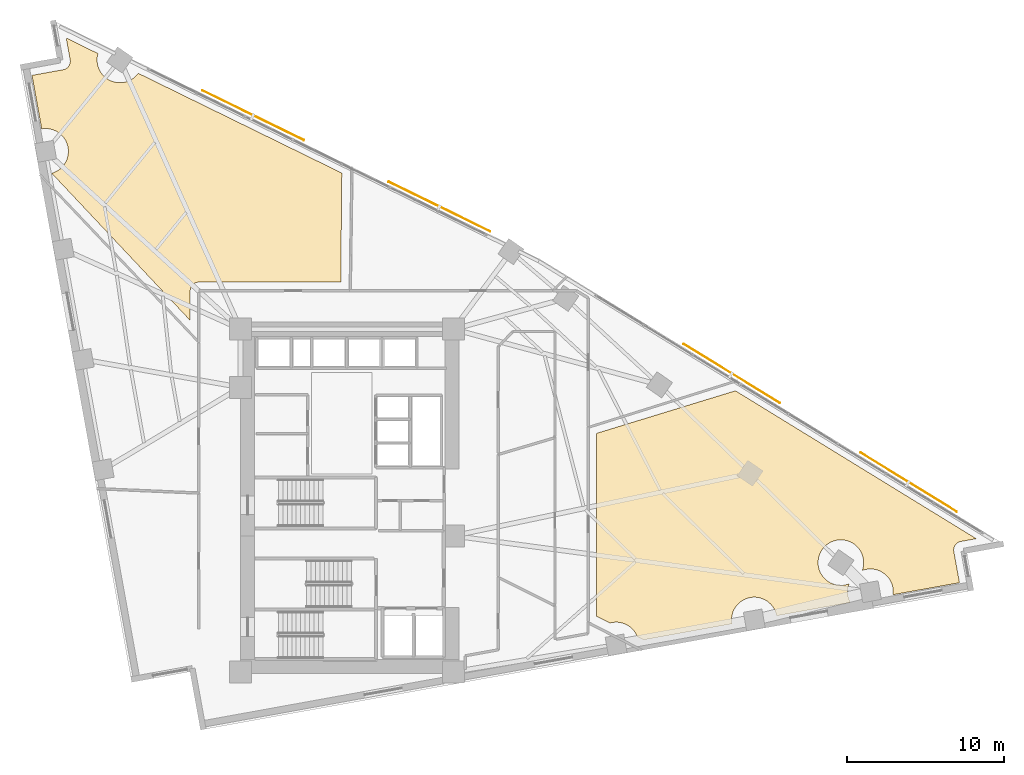
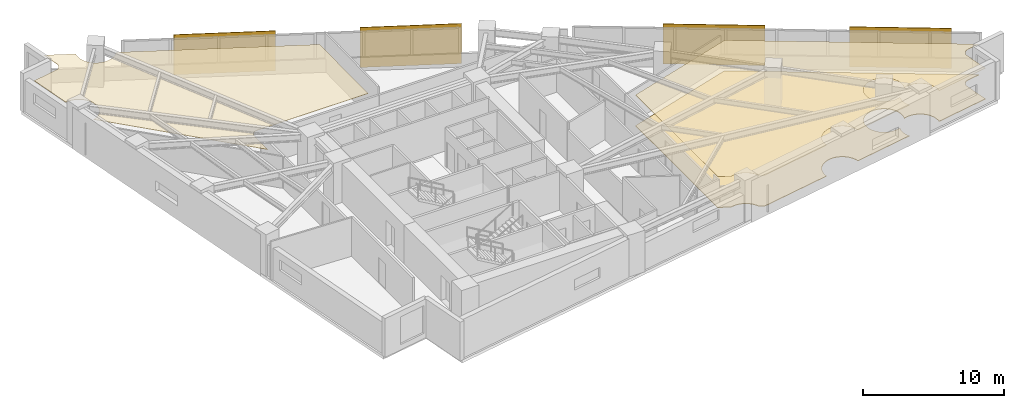
# One storey, part 19 of 19: 4 shading devices, 3 coverings.
"""IFC4 building model written with IfcOpenShell, lengths in metres."""

from ifc_helpers import new_model, si_unit, direction, frame, origin, origin_2d, place, context, subcontext, project, spatial, polyline, rectangle, outline, extrude, material, layer, layer_set, type_object, element, save


model = new_model("IFC4")

# Units and contexts
model_context = context("Model", 3, precision=1e-05, world=origin(), true_north=direction((0.0, 1.0)))
body_context = subcontext(model_context, "Body", "Model", "MODEL_VIEW")
ifc_project = project(units=[si_unit("LENGTHUNIT", "METRE"), si_unit("AREAUNIT", "SQUARE_METRE"), si_unit("VOLUMEUNIT", "CUBIC_METRE"), si_unit("PLANEANGLEUNIT", "RADIAN"), si_unit("MASSUNIT", "GRAM", prefix="KILO")], contexts=[model_context])

# Site, building, storey
site_placement = place(None, origin())
site = spatial("IfcSite", under=ifc_project, at=site_placement, CompositionType="ELEMENT")
building_placement = place(site_placement, origin())
building = spatial("IfcBuilding", under=site, at=building_placement, Name="Narakoshi Arena Tower", CompositionType="ELEMENT")
storey_placement = place(building_placement, frame((0.0, 0.0, 117.300048828125)))
storey = spatial("IfcBuildingStorey", under=building, at=storey_placement, Name="L31", CompositionType="ELEMENT", Elevation=117.300048828125)

# Coverings
ifc_material_1 = material(Name="Acoustic mineral-fibre ceiling tile")
ifc_layer_1 = layer(ifc_material_1, 0.02001953125)
ifc_layer_set_1 = layer_set([ifc_layer_1], Name="Acoustic mineral-fibre ceiling tile")
covering_type_1 = type_object("IfcCoveringType", Name="COV-CLG-AC20", PredefinedType="CEILING", material=ifc_layer_set_1)
covering_1_placement = place(storey_placement, frame((0.0, 0.0, 2.669921875)))
element("IfcCovering", 1, at=covering_1_placement, inside=storey, type_object=covering_type_1, Name="L31 Suspended Acoustic Ceiling 1", PredefinedType="CEILING", context=body_context, shape_type="SweptSolid", body=[
    extrude(outline(polyline([(117.8193359375, 42.995361328125), (117.766845703125, 42.983154296875), (117.715576171875, 42.9658203125), (117.66650390625, 42.943603515625), (117.61962890625, 42.916748046875), (117.57568359375, 42.88525390625), (117.53515625, 42.849609375), (117.498291015625, 42.810302734375), (117.46533203125, 42.767578125), (117.436767578125, 42.7216796875), (117.412841796875, 42.67333984375), (117.393798828125, 42.622802734375), (117.379638671875, 42.57080078125), (117.370849609375, 42.517578125), (117.3671875, 42.463623046875), (117.368896484375, 42.409912109375), (117.3759765625, 42.356201171875), (117.734619140625, 40.372314453125), (113.506103515625, 39.607421875), (113.51318359375, 39.65576171875), (113.520263671875, 39.7978515625), (113.51318359375, 39.93994140625), (113.492431640625, 40.080810546875), (113.4580078125, 40.21875), (113.409912109375, 40.352783203125), (113.34912109375, 40.4814453125), (113.27587890625, 40.603515625), (113.191162109375, 40.7177734375), (113.095703125, 40.8232421875), (112.990234375, 40.918701171875), (112.8759765625, 41.00341796875), (112.75390625, 41.07666015625), (112.625244140625, 41.137451171875), (112.4912109375, 41.185546875), (112.353271484375, 41.219970703125), (112.21240234375, 41.240966796875), (112.0703125, 41.247802734375), (111.92822265625, 41.240966796875), (111.787353515625, 41.219970703125), (111.6494140625, 41.185546875), (111.548095703125, 41.149169921875), (111.576904296875, 41.229248046875), (111.611328125, 41.3671875), (111.632080078125, 41.508056640625), (111.63916015625, 41.650146484375), (111.632080078125, 41.792236328125), (111.611328125, 41.93310546875), (111.576904296875, 42.071044921875), (111.52880859375, 42.205078125), (111.468017578125, 42.333740234375), (111.394775390625, 42.455810546875), (111.31005859375, 42.570068359375), (111.214599609375, 42.675537109375), (111.109130859375, 42.77099609375), (110.994873046875, 42.855712890625), (110.872802734375, 42.928955078125), (110.744140625, 42.98974609375), (110.610107421875, 43.037841796875), (110.47216796875, 43.072265625), (110.331298828125, 43.09326171875), (110.189208984375, 43.10009765625), (110.047119140625, 43.09326171875), (109.90625, 43.072265625), (109.768310546875, 43.037841796875), (109.63427734375, 42.98974609375), (109.505615234375, 42.928955078125), (109.383544921875, 42.855712890625), (109.269287109375, 42.77099609375), (109.163818359375, 42.675537109375), (109.068359375, 42.570068359375), (108.983642578125, 42.455810546875), (108.910400390625, 42.333740234375), (108.849609375, 42.205078125), (108.801513671875, 42.071044921875), (108.76708984375, 41.93310546875), (108.74609375, 41.792236328125), (108.7392578125, 41.650146484375), (108.74609375, 41.508056640625), (108.76708984375, 41.3671875), (108.801513671875, 41.229248046875), (108.849609375, 41.09521484375), (108.910400390625, 40.966796875), (108.983642578125, 40.844482421875), (109.068359375, 40.730224609375), (109.163818359375, 40.625), (109.269287109375, 40.529296875), (109.383544921875, 40.444580078125), (109.505615234375, 40.371337890625), (109.63427734375, 40.310546875), (109.768310546875, 40.2626953125), (109.90625, 40.22802734375), (110.047119140625, 40.207275390625), (110.189208984375, 40.2001953125), (110.331298828125, 40.207275390625), (110.47216796875, 40.22802734375), (110.610107421875, 40.2626953125), (110.71142578125, 40.298828125), (110.6826171875, 40.21875), (110.648193359375, 40.080810546875), (110.627197265625, 39.93994140625), (110.620361328125, 39.7978515625), (110.627197265625, 39.65576171875), (110.648193359375, 39.514892578125), (110.6826171875, 39.376953125), (110.730712890625, 39.242919921875), (110.79052734375, 39.116455078125), (106.105712890625, 38.269287109375), (106.103515625, 38.284423828125), (106.06884765625, 38.42236328125), (106.02099609375, 38.556396484375), (105.960205078125, 38.68505859375), (105.886962890625, 38.80712890625), (105.80224609375, 38.92138671875), (105.70654296875, 39.02685546875), (105.601318359375, 39.122314453125), (105.48681640625, 39.20703125), (105.36474609375, 39.2802734375), (105.236083984375, 39.341064453125), (105.102294921875, 39.38916015625), (104.964111328125, 39.423583984375), (104.823486328125, 39.444580078125), (104.681396484375, 39.451416015625), (104.539306640625, 39.444580078125), (104.3984375, 39.423583984375), (104.260498046875, 39.38916015625), (104.12646484375, 39.341064453125), (103.997802734375, 39.2802734375), (103.875732421875, 39.20703125), (103.761474609375, 39.122314453125), (103.656005859375, 39.02685546875), (103.560302734375, 38.92138671875), (103.4755859375, 38.80712890625), (103.402587890625, 38.68505859375), (103.341796875, 38.556396484375), (103.293701171875, 38.42236328125), (103.25927734375, 38.284423828125), (103.23828125, 38.1435546875), (103.231201171875, 38.00146484375), (103.23828125, 37.859375), (103.25390625, 37.753662109375), (97.63232421875, 36.737060546875), (97.241455078125, 36.93408203125), (97.229736328125, 36.966796875), (97.1689453125, 37.09521484375), (97.095703125, 37.21728515625), (97.010986328125, 37.331787109375), (96.915283203125, 37.43701171875), (96.81005859375, 37.53271484375), (96.69580078125, 37.617431640625), (96.573486328125, 37.690673828125), (96.445068359375, 37.75146484375), (96.31103515625, 37.79931640625), (96.173095703125, 37.833984375), (96.0322265625, 37.854736328125), (95.89013671875, 37.86181640625), (95.748046875, 37.854736328125), (95.607177734375, 37.833984375), (95.50634765625, 37.80859375), (94.655029296875, 38.23779296875), (94.655029296875, 49.874755859375), (103.481201171875, 52.581298828125), (118.80029296875, 43.172607421875), (117.8193359375, 42.995361328125)])), origin(), (0.0, 0.0, 1.0), 0.02001953125),
])
ifc_material_2 = material(Name="Slatted oak acoustic timber baffle", Category="wood")
ifc_layer_2 = layer(ifc_material_2, 0.034912109375)
ifc_layer_set_2 = layer_set([ifc_layer_2], Name="Slatted oak acoustic timber baffle")
covering_type_2 = type_object("IfcCoveringType", Name="COV-CLG-WD35", PredefinedType="CEILING", material=ifc_layer_set_2)
covering_2_placement = place(storey_placement, frame((0.0, 0.0, 2.655029296875)))
element("IfcCovering", 2, at=covering_2_placement, inside=storey, type_object=covering_type_2, Name="L31 Suspended Acoustic Ceiling 2", PredefinedType="CEILING", context=body_context, shape_type="SweptSolid", body=[
    extrude(outline(polyline([(60.713623046875, 73.00830078125), (60.76611328125, 73.0205078125), (60.8173828125, 73.037841796875), (60.866455078125, 73.06005859375), (60.9130859375, 73.0869140625), (60.95703125, 73.118408203125), (60.997802734375, 73.154052734375), (61.03466796875, 73.193359375), (61.067626953125, 73.236083984375), (61.09619140625, 73.281982421875), (61.1201171875, 73.330322265625), (61.13916015625, 73.380859375), (61.1533203125, 73.432861328125), (61.162109375, 73.486083984375), (61.16552734375, 73.5400390625), (61.163818359375, 73.593994140625), (61.156982421875, 73.6474609375), (60.90771484375, 75.025390625), (62.92578125, 74.03662109375), (62.895751953125, 73.916015625), (62.874755859375, 73.775146484375), (62.867919921875, 73.633056640625), (62.874755859375, 73.490966796875), (62.895751953125, 73.35009765625), (62.93017578125, 73.212158203125), (62.978271484375, 73.078125), (63.0390625, 72.949462890625), (63.1123046875, 72.827392578125), (63.197021484375, 72.713134765625), (63.29248046875, 72.607666015625), (63.39794921875, 72.51220703125), (63.51220703125, 72.427490234375), (63.63427734375, 72.354248046875), (63.762939453125, 72.29345703125), (63.89697265625, 72.245361328125), (64.034912109375, 72.2109375), (64.17578125, 72.18994140625), (64.31787109375, 72.18310546875), (64.4599609375, 72.18994140625), (64.6005859375, 72.2109375), (64.73876953125, 72.245361328125), (64.872802734375, 72.29345703125), (65.001220703125, 72.354248046875), (65.123291015625, 72.427490234375), (65.23779296875, 72.51220703125), (65.343017578125, 72.607666015625), (65.438720703125, 72.713134765625), (65.48876953125, 72.78076171875), (78.43798828125, 66.435791015625), (78.371337890625, 59.493896484375), (69.344970703125, 59.493896484375), (69.291015625, 59.491455078125), (69.23779296875, 59.4833984375), (69.185302734375, 59.47021484375), (69.134521484375, 59.4521484375), (69.085693359375, 59.42919921875), (69.039306640625, 59.4013671875), (68.99609375, 59.369140625), (68.9560546875, 59.3330078125), (68.919921875, 59.29296875), (68.8876953125, 59.24951171875), (68.85986328125, 59.203369140625), (68.8369140625, 59.154541015625), (68.818603515625, 59.103759765625), (68.8056640625, 59.05126953125), (68.797607421875, 58.997802734375), (68.794921875, 58.944091796875), (68.794921875, 57.055908203125), (59.985107421875, 66.4208984375), (60.014404296875, 66.42822265625), (60.1484375, 66.476318359375), (60.277099609375, 66.537109375), (60.399169921875, 66.6103515625), (60.513427734375, 66.695068359375), (60.618896484375, 66.79052734375), (60.71435546875, 66.89599609375), (60.799072265625, 67.01025390625), (60.872314453125, 67.13232421875), (60.93310546875, 67.260986328125), (60.981201171875, 67.39501953125), (61.015625, 67.532958984375), (61.03662109375, 67.673828125), (61.04345703125, 67.81591796875), (61.03662109375, 67.9580078125), (61.015625, 68.098876953125), (60.981201171875, 68.23681640625), (60.93310546875, 68.370849609375), (60.872314453125, 68.49951171875), (60.799072265625, 68.62158203125), (60.71435546875, 68.73583984375), (60.618896484375, 68.84130859375), (60.513427734375, 68.936767578125), (60.399169921875, 69.021484375), (60.277099609375, 69.0947265625), (60.1484375, 69.155517578125), (60.014404296875, 69.20361328125), (59.87646484375, 69.238037109375), (59.735595703125, 69.2587890625), (59.593505859375, 69.265869140625), (59.451416015625, 69.2587890625), (59.345703125, 69.2431640625), (58.7294921875, 72.649658203125), (60.713623046875, 73.00830078125)])), origin(), (0.0, 0.0, 1.0), 0.034912109375),
])
ifc_material_3 = material(Name="Raised steel access floor panel", Category="steel")
ifc_layer_3 = layer(ifc_material_3, 0.044921875)
ifc_layer_set_3 = layer_set([ifc_layer_3], Name="Raised steel access floor panel")
covering_type_3 = type_object("IfcCoveringType", Name="COV-FLR-RF45", PredefinedType="FLOORING", material=ifc_layer_set_3)
covering_3_placement = place(storey_placement, origin())
element("IfcCovering", 3, at=covering_3_placement, inside=storey, type_object=covering_type_3, Name="L31 Raised Steel Access Floor", PredefinedType="FLOORING", context=body_context, shape_type="SweptSolid", body=[
    extrude(outline(polyline([(117.8193359375, 42.995361328125), (117.766845703125, 42.983154296875), (117.715576171875, 42.9658203125), (117.66650390625, 42.943603515625), (117.61962890625, 42.916748046875), (117.57568359375, 42.88525390625), (117.53515625, 42.849609375), (117.498291015625, 42.810302734375), (117.46533203125, 42.767578125), (117.436767578125, 42.7216796875), (117.412841796875, 42.67333984375), (117.393798828125, 42.622802734375), (117.379638671875, 42.57080078125), (117.370849609375, 42.517578125), (117.3671875, 42.463623046875), (117.368896484375, 42.409912109375), (117.3759765625, 42.356201171875), (117.734619140625, 40.372314453125), (113.506103515625, 39.607421875), (113.51318359375, 39.65576171875), (113.520263671875, 39.7978515625), (113.51318359375, 39.93994140625), (113.492431640625, 40.080810546875), (113.4580078125, 40.21875), (113.409912109375, 40.352783203125), (113.34912109375, 40.4814453125), (113.27587890625, 40.603515625), (113.191162109375, 40.7177734375), (113.095703125, 40.8232421875), (112.990234375, 40.918701171875), (112.8759765625, 41.00341796875), (112.75390625, 41.07666015625), (112.625244140625, 41.137451171875), (112.4912109375, 41.185546875), (112.353271484375, 41.219970703125), (112.21240234375, 41.240966796875), (112.0703125, 41.247802734375), (111.92822265625, 41.240966796875), (111.787353515625, 41.219970703125), (111.6494140625, 41.185546875), (111.548095703125, 41.149169921875), (111.576904296875, 41.229248046875), (111.611328125, 41.3671875), (111.632080078125, 41.508056640625), (111.63916015625, 41.650146484375), (111.632080078125, 41.792236328125), (111.611328125, 41.93310546875), (111.576904296875, 42.071044921875), (111.52880859375, 42.205078125), (111.468017578125, 42.333740234375), (111.394775390625, 42.455810546875), (111.31005859375, 42.570068359375), (111.214599609375, 42.675537109375), (111.109130859375, 42.77099609375), (110.994873046875, 42.855712890625), (110.872802734375, 42.928955078125), (110.744140625, 42.98974609375), (110.610107421875, 43.037841796875), (110.47216796875, 43.072265625), (110.331298828125, 43.09326171875), (110.189208984375, 43.10009765625), (110.047119140625, 43.09326171875), (109.90625, 43.072265625), (109.768310546875, 43.037841796875), (109.63427734375, 42.98974609375), (109.505615234375, 42.928955078125), (109.383544921875, 42.855712890625), (109.269287109375, 42.77099609375), (109.163818359375, 42.675537109375), (109.068359375, 42.570068359375), (108.983642578125, 42.455810546875), (108.910400390625, 42.333740234375), (108.849609375, 42.205078125), (108.801513671875, 42.071044921875), (108.76708984375, 41.93310546875), (108.74609375, 41.792236328125), (108.7392578125, 41.650146484375), (108.74609375, 41.508056640625), (108.76708984375, 41.3671875), (108.801513671875, 41.229248046875), (108.849609375, 41.09521484375), (108.910400390625, 40.966796875), (108.983642578125, 40.844482421875), (109.068359375, 40.730224609375), (109.163818359375, 40.625), (109.269287109375, 40.529296875), (109.383544921875, 40.444580078125), (109.505615234375, 40.371337890625), (109.63427734375, 40.310546875), (109.768310546875, 40.2626953125), (109.90625, 40.22802734375), (110.047119140625, 40.207275390625), (110.189208984375, 40.2001953125), (110.331298828125, 40.207275390625), (110.47216796875, 40.22802734375), (110.610107421875, 40.2626953125), (110.71142578125, 40.298828125), (110.6826171875, 40.21875), (110.648193359375, 40.080810546875), (110.627197265625, 39.93994140625), (110.620361328125, 39.7978515625), (110.627197265625, 39.65576171875), (110.648193359375, 39.514892578125), (110.6826171875, 39.376953125), (110.730712890625, 39.242919921875), (110.79052734375, 39.116455078125), (106.105712890625, 38.269287109375), (106.103515625, 38.284423828125), (106.06884765625, 38.42236328125), (106.02099609375, 38.556396484375), (105.960205078125, 38.68505859375), (105.886962890625, 38.80712890625), (105.80224609375, 38.92138671875), (105.70654296875, 39.02685546875), (105.601318359375, 39.122314453125), (105.48681640625, 39.20703125), (105.36474609375, 39.2802734375), (105.236083984375, 39.341064453125), (105.102294921875, 39.38916015625), (104.964111328125, 39.423583984375), (104.823486328125, 39.444580078125), (104.681396484375, 39.451416015625), (104.539306640625, 39.444580078125), (104.3984375, 39.423583984375), (104.260498046875, 39.38916015625), (104.12646484375, 39.341064453125), (103.997802734375, 39.2802734375), (103.875732421875, 39.20703125), (103.761474609375, 39.122314453125), (103.656005859375, 39.02685546875), (103.560302734375, 38.92138671875), (103.4755859375, 38.80712890625), (103.402587890625, 38.68505859375), (103.341796875, 38.556396484375), (103.293701171875, 38.42236328125), (103.25927734375, 38.284423828125), (103.23828125, 38.1435546875), (103.231201171875, 38.00146484375), (103.23828125, 37.859375), (103.25390625, 37.753662109375), (97.63232421875, 36.737060546875), (97.241455078125, 36.93408203125), (97.229736328125, 36.966796875), (97.1689453125, 37.09521484375), (97.095703125, 37.21728515625), (97.010986328125, 37.331787109375), (96.915283203125, 37.43701171875), (96.81005859375, 37.53271484375), (96.69580078125, 37.617431640625), (96.573486328125, 37.690673828125), (96.445068359375, 37.75146484375), (96.31103515625, 37.79931640625), (96.173095703125, 37.833984375), (96.0322265625, 37.854736328125), (95.89013671875, 37.86181640625), (95.748046875, 37.854736328125), (95.607177734375, 37.833984375), (95.50634765625, 37.80859375), (94.655029296875, 38.23779296875), (94.655029296875, 49.874755859375), (103.481201171875, 52.581298828125), (118.80029296875, 43.172607421875), (117.8193359375, 42.995361328125)])), origin(), (0.0, 0.0, 1.0), 0.044921875),
])

# Shading devices
ifc_material_4 = material(Name="Perforated bronze ceramic-metal composite")
ifc_layer_4 = layer(ifc_material_4, 0.044921875)
ifc_layer_set_4 = layer_set([ifc_layer_4], Name="Perforated bronze ceramic-metal composite")
shading_device_type = type_object("IfcShadingDeviceType", Name="SHD-SCR-BRZ1", PredefinedType="USERDEFINED", material=ifc_layer_set_4)
for number, where, z_axis, x_axis, name in (
    (4, (114.495849609375, 46.77001953125, 0.0), (0.0, 0.0, 1.0), (-0.852110807003, 0.523361416794, 0.0), "L31 Perforated Bronze Solar Screen 1-1"),
    (5, (103.247802734375, 53.67822265625, 0.0), (0.0, 0.0, 1.0), (-0.852110807003, 0.523361416794, 0.0), "L31 Perforated Bronze Solar Screen 1-2"),
    (6, (84.6494140625, 64.297119140625, 0.0), (0.0, 0.0, 1.0), (-0.897996860024, 0.440001862936, 0.0), "L31 Perforated Bronze Solar Screen 2-1"),
    (7, (72.7958984375, 70.105224609375, 0.0), (0.0, 0.0, 1.0), (-0.897996860024, 0.440001862936, 0.0), "L31 Perforated Bronze Solar Screen 2-2"),
):
    element("IfcShadingDevice", number, at=place(storey_placement, frame(where, z_axis=z_axis, x_axis=x_axis)), inside=storey, type_object=shading_device_type, Name=name, ObjectType="SOLAR SCREEN", PredefinedType="USERDEFINED", context=body_context, shape_type="SweptSolid", body=[
        extrude(rectangle(XDim=7.199951171875, YDim=0.044921875, at=origin_2d()), origin(), (0.0, 0.0, 1.0), 3.449951171875),
    ])

save(model, "model.ifc")
